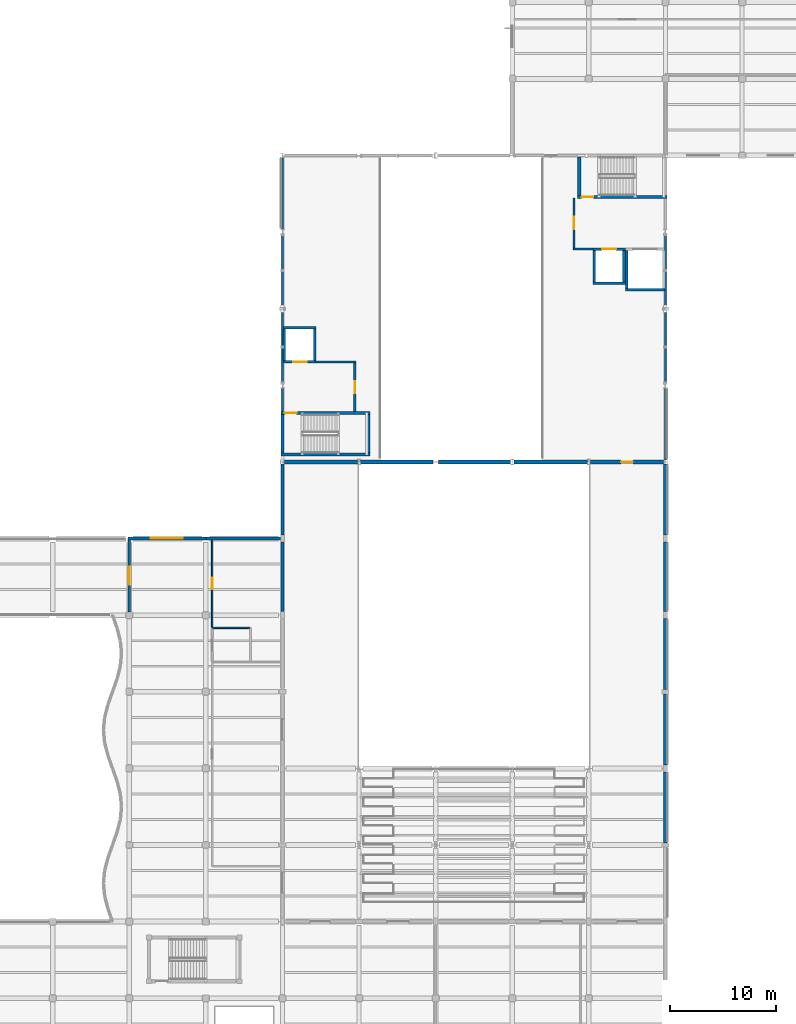
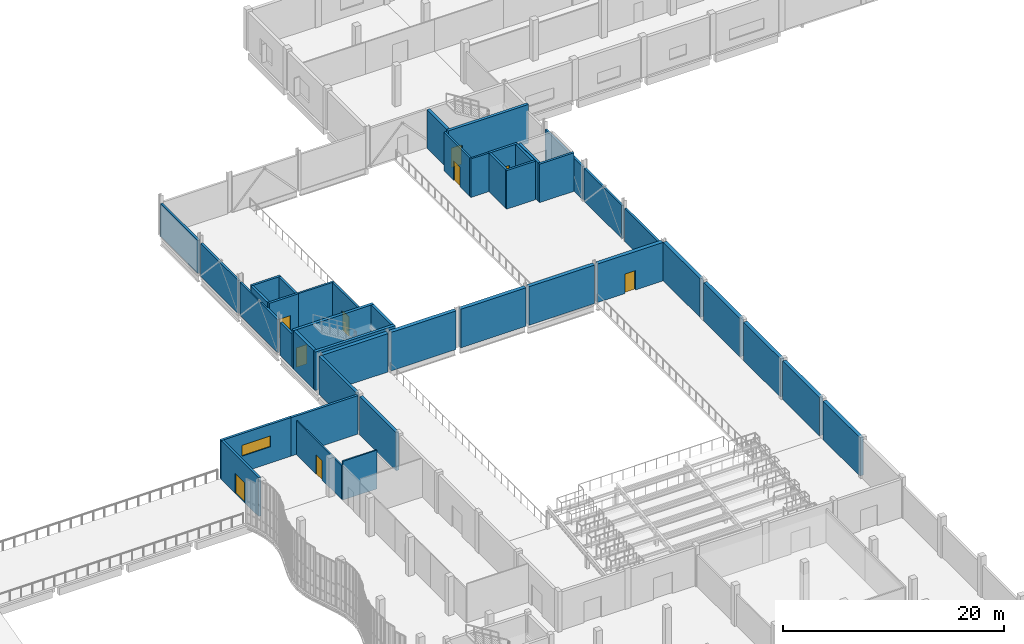
# One storey, part 91 of 105: 44 walls, 9 doors, 1 window, 10 openings.
"""IFC4 building model written with IfcOpenShell, lengths in metres."""

from ifc_helpers import new_model, si_unit, direction, frame, frame_2d, origin, place, context, subcontext, project, spatial, rectangle, extrude, material, layer, layer_set, type_object, element, fill, save


model = new_model("IFC4")

# Units and contexts
model_context = context("Model", 3, precision=1e-05, world=origin(), true_north=direction((0.0, 1.0)))
body_context = subcontext(model_context, "Body", "Model", "MODEL_VIEW")
ifc_project = project(units=[si_unit("LENGTHUNIT", "METRE"), si_unit("AREAUNIT", "SQUARE_METRE"), si_unit("VOLUMEUNIT", "CUBIC_METRE"), si_unit("PLANEANGLEUNIT", "RADIAN"), si_unit("MASSUNIT", "GRAM", prefix="KILO"), si_unit("THERMODYNAMICTEMPERATUREUNIT", "KELVIN"), si_unit("POWERUNIT", "WATT")], contexts=[model_context])

# Site, building, storey
site_placement = place(None, origin())
site = spatial("IfcSite", under=ifc_project, at=site_placement, CompositionType="ELEMENT")
building_placement = place(site_placement, origin())
building = spatial("IfcBuilding", under=site, at=building_placement, Name="Kaldorven Railside Theatre", CompositionType="ELEMENT")
storey_placement = place(building_placement, frame((0.0, 0.0, 9.89990234375)))
storey = spatial("IfcBuildingStorey", under=building, at=storey_placement, Name="L02", CompositionType="ELEMENT", Elevation=9.89990234375)

# Walls
ifc_material_1 = material(Name="Architectural concrete C40/50", Category="concrete")
ifc_layer_1 = layer(ifc_material_1, 0.3798828125, Name="Architectural concrete C40/50")
ifc_layer_set_1 = layer_set([ifc_layer_1], Name="Architectural concrete C40/50")
wall_type_1 = type_object("IfcWallType", Name="WL-EW02", PredefinedType="SHEAR", material=ifc_layer_set_1)
wall_1_placement = place(storey_placement, frame((123.199951171875, 83.813720703125, 0.0), z_axis=(0.0, 0.0, 1.0), x_axis=(0.0, -1.0, 0.0)))
element("IfcWall", 1, at=wall_1_placement, inside=storey, type_object=wall_type_1, Name="V1 L02 Exterior Wall EW-0251", PredefinedType="SHEAR", context=body_context, shape_type="SweptSolid", body=[
    extrude(rectangle(XDim=6.688720703125, YDim=0.3798828125, at=frame_2d((3.34423828125, 0.0))), origin(), (0.0, 0.0, 1.0), 4.260009765625),
])
wall_2_placement = place(storey_placement, frame((123.199951171875, 76.47509765625, 0.0), z_axis=(0.0, 0.0, 1.0), x_axis=(0.0, -1.0, 0.0)))
element("IfcWall", 2, at=wall_2_placement, inside=storey, type_object=wall_type_1, Name="V1 L02 Exterior Wall EW-0252", PredefinedType="SHEAR", context=body_context, shape_type="SweptSolid", body=[
    extrude(rectangle(XDim=6.550048828125, YDim=0.3798828125, at=frame_2d((3.27490234375, 0.0))), origin(), (0.0, 0.0, 1.0), 4.260009765625),
])
wall_3_placement = place(storey_placement, frame((123.199951171875, 69.27490234375, 0.0), z_axis=(0.0, 0.0, 1.0), x_axis=(0.0, -1.0, 0.0)))
element("IfcWall", 3, at=wall_3_placement, inside=storey, type_object=wall_type_1, Name="V1 L02 Exterior Wall EW-0253", PredefinedType="SHEAR", context=body_context, shape_type="SweptSolid", body=[
    extrude(rectangle(XDim=6.6748046875, YDim=0.3798828125, at=frame_2d((3.33740234375, 0.0))), origin(), (0.0, 0.0, 1.0), 4.25),
])
for number, where, z_axis, x_axis, name in (
    (4, (123.199951171875, 62.199951171875, 0.0), (0.0, 0.0, 1.0), (0.0, -1.0, 0.0), "V1 L02 Exterior Wall EW-0254"),
    (5, (123.199951171875, 54.875, 0.0), (0.0, 0.0, 1.0), (0.0, -1.0, 0.0), "V1 L02 Exterior Wall EW-0255"),
):
    element("IfcWall", number, at=place(storey_placement, frame(where, z_axis=z_axis, x_axis=x_axis)), inside=storey, type_object=wall_type_1, Name=name, PredefinedType="SHEAR", context=body_context, shape_type="SweptSolid", body=[
        extrude(rectangle(XDim=6.675048828125, YDim=0.3798828125, at=frame_2d((3.33740234375, 0.0))), origin(), (0.0, 0.0, 1.0), 4.25),
    ])

# Wall, opening, door
ifc_material_2 = material(Name="Precast concrete C40/50", Category="concrete")
ifc_layer_2 = layer(ifc_material_2, 0.25, Name="Precast concrete C40/50")
ifc_layer_set_2 = layer_set([ifc_layer_2], Name="Precast concrete C40/50")
wall_type_2 = type_object("IfcWallType", Name="WL-EW06", PredefinedType="SOLIDWALL", material=ifc_layer_set_2)
wall_4_placement = place(storey_placement, frame((72.800048828125, 69.89990234375, 0.0), z_axis=(0.0, 0.0, 1.0), x_axis=(0.0, 1.0, 0.0)))
wall_4 = element("IfcWall", 6, at=wall_4_placement, inside=storey, type_object=wall_type_2, Name="V5WN L02 Exterior Wall EW-0223", PredefinedType="SOLIDWALL", context=body_context, shape_type="SweptSolid", body=[
    extrude(rectangle(XDim=6.775146484375, YDim=0.25, at=frame_2d((3.3876953125, 0.0))), origin(), (0.0, 0.0, 1.0), 4.280029296875),
])
opening_1_placement = place(wall_4_placement, frame((2.53759765625, 0.0, 0.0)))
opening_1 = element("IfcOpeningElement", 7, at=opening_1_placement, cuts=wall_4, Name="Opening ED-013", PredefinedType="OPENING", context=body_context, shape_type="SweptSolid", body=[
    extrude(rectangle(XDim=1.699951171875, YDim=2.199951171875, at=frame_2d((0.85009765625, 1.10009765625))), frame((0.0, 0.135009765625, 0.0), z_axis=(0.0, -1.0, 0.0), x_axis=(1.0, 0.0, 0.0)), (0.0, 0.0, 1.0), 0.27001953125),
])
ifc_material_3 = material(Name="Anodised bronze aluminium", Category="aluminium")
door_type_1 = type_object("IfcDoorType", Name="DR-ED06", OperationType="NOTDEFINED", PredefinedType="DOOR", material=ifc_material_3)
door_1_placement = place(opening_1_placement, origin())
door_1 = element("IfcDoor", 8, at=door_1_placement, inside=storey, type_object=door_type_1, Name="Veranda Terrace Access Door ED-013", OperationType="DOUBLE_DOOR_SINGLE_SWING", OverallHeight=2.199951171875, OverallWidth=1.699951171875, PredefinedType="DOOR", context=body_context, shape_type="SweptSolid", body=[
    extrude(rectangle(XDim=1.699951171875, YDim=2.199951171875, at=frame_2d((0.85009765625, 1.10009765625))), frame((0.0, 0.02490234375, 0.0), z_axis=(0.0, -1.0, 0.0), x_axis=(1.0, 0.0, 0.0)), (0.0, 0.0, 1.0), 0.050048828125),
])
fill(opening_1, door_1)

# Wall, opening, window
wall_5_placement = place(storey_placement, frame((72.675048828125, 76.800048828125, 0.0), z_axis=(0.0, 0.0, 1.0), x_axis=(1.0, 0.0, 0.0)))
wall_5 = element("IfcWall", 9, at=wall_5_placement, inside=storey, type_object=wall_type_2, Name="V5WN L02 Exterior Wall EW-0224", PredefinedType="SOLIDWALL", context=body_context, shape_type="SweptSolid", body=[
    extrude(rectangle(XDim=7.324951171875, YDim=0.25, at=frame_2d((3.66259765625, 0.0))), origin(), (0.0, 0.0, 1.0), 4.280029296875),
])
opening_2_placement = place(wall_5_placement, frame((2.16259765625, 0.0, 1.800048828125)))
opening_2 = element("IfcOpeningElement", 10, at=opening_2_placement, cuts=wall_5, Name="Opening WN-041", PredefinedType="OPENING", context=body_context, shape_type="SweptSolid", body=[
    extrude(rectangle(XDim=3.0, YDim=1.199951171875, at=frame_2d((1.5, 0.60009765625))), frame((0.0, 0.135009765625, 0.0), z_axis=(0.0, -1.0, 0.0), x_axis=(1.0, 0.0, 0.0)), (0.0, 0.0, 1.0), 0.27001953125),
])
ifc_material_4 = material(Name="Low-E laminated solar-control glass", Category="glass")
window_type = type_object("IfcWindowType", Name="WN-EW16", PartitioningType="SINGLE_PANEL", PredefinedType="WINDOW", material=ifc_material_4)
window_placement = place(opening_2_placement, origin())
window = element("IfcWindow", 11, at=window_placement, inside=storey, type_object=window_type, Name="Shaded Acoustic Exterior Window WN-041", OverallHeight=1.199951171875, OverallWidth=3.0, PartitioningType="SINGLE_PANEL", PredefinedType="WINDOW", context=body_context, shape_type="SweptSolid", body=[
    extrude(rectangle(XDim=3.0, YDim=1.199951171875, at=frame_2d((1.5, 0.60009765625))), frame((0.0, 0.030029296875, 0.0), z_axis=(0.0, -1.0, 0.0), x_axis=(1.0, 0.0, 0.0)), (0.0, 0.0, 1.0), 0.06005859375),
])
fill(opening_2, window)

# Walls
wall_6_placement = place(storey_placement, frame((80.0, 76.800048828125, 0.0), z_axis=(0.0, 0.0, 1.0), x_axis=(1.0, 0.0, 0.0)))
element("IfcWall", 12, at=wall_6_placement, inside=storey, type_object=wall_type_2, Name="V5WN L02 Exterior Wall EW-0225", PredefinedType="SOLIDWALL", context=body_context, shape_type="SweptSolid", body=[
    extrude(rectangle(XDim=7.0, YDim=0.25, at=frame_2d((3.5, 0.0))), origin(), (0.0, 0.0, 1.0), 4.25),
])
ifc_layer_3 = layer(ifc_material_2, 0.219970703125, Name="Precast concrete C40/50")
ifc_layer_set_3 = layer_set([ifc_layer_3], Name="Precast concrete C40/50")
wall_type_3 = type_object("IfcWallType", Name="WL-EW07", PredefinedType="SOLIDWALL", material=ifc_layer_set_3)
wall_7_placement = place(storey_placement, frame((87.199951171875, 88.75, 0.0), z_axis=(0.0, 0.0, 1.0), x_axis=(0.0, 1.0, 0.0)))
element("IfcWall", 13, at=wall_7_placement, inside=storey, type_object=wall_type_3, Name="V2 L02 Exterior Wall EW-0293", PredefinedType="SOLIDWALL", context=body_context, shape_type="SweptSolid", body=[
    extrude(rectangle(XDim=2.199951171875, YDim=0.219970703125, at=frame_2d((1.10009765625, 0.0))), origin(), (0.0, 0.0, 1.0), 3.64501953125),
])
for number, where, z_axis, x_axis, name in (
    (14, (87.199951171875, 91.449951171875, 0.0), (0.0, 0.0, 1.0), (0.0, 1.0, 0.0), "V2 L02 Exterior Wall EW-0294"),
    (15, (87.199951171875, 98.550048828125, 0.0), (0.0, 0.0, 1.0), (0.0, 1.0, 0.0), "V2 L02 Exterior Wall EW-0295"),
):
    element("IfcWall", number, at=place(storey_placement, frame(where, z_axis=z_axis, x_axis=x_axis)), inside=storey, type_object=wall_type_3, Name=name, PredefinedType="SOLIDWALL", context=body_context, shape_type="SweptSolid", body=[
        extrude(rectangle(XDim=6.800048828125, YDim=0.219970703125, at=frame_2d((3.39990234375, 0.0))), origin(), (0.0, 0.0, 1.0), 3.655029296875),
    ])
wall_8_placement = place(storey_placement, frame((87.199951171875, 105.85009765625, 0.0), z_axis=(0.0, 0.0, 1.0), x_axis=(0.0, 1.0, 0.0)))
element("IfcWall", 16, at=wall_8_placement, inside=storey, type_object=wall_type_3, Name="V2 L02 Exterior Wall EW-0296", PredefinedType="SOLIDWALL", context=body_context, shape_type="SweptSolid", body=[
    extrude(rectangle(XDim=6.765869140625, YDim=0.219970703125, at=frame_2d((3.3828125, 0.0))), origin(), (0.0, 0.0, 1.0), 3.655029296875),
])
for number, where, z_axis, x_axis, name in (
    (17, (123.199951171875, 105.35009765625, 0.0), (0.0, 0.0, 1.0), (0.0, -1.0, 0.0), "V2 L02 Exterior Wall EW-0302"),
    (18, (123.199951171875, 98.25, 0.0), (0.0, 0.0, 1.0), (0.0, -1.0, 0.0), "V2 L02 Exterior Wall EW-0303"),
):
    element("IfcWall", number, at=place(storey_placement, frame(where, z_axis=z_axis, x_axis=x_axis)), inside=storey, type_object=wall_type_3, Name=name, PredefinedType="SOLIDWALL", context=body_context, shape_type="SweptSolid", body=[
        extrude(rectangle(XDim=6.800048828125, YDim=0.219970703125, at=frame_2d((3.39990234375, 0.0))), origin(), (0.0, 0.0, 1.0), 3.655029296875),
    ])
wall_9_placement = place(storey_placement, frame((123.199951171875, 90.949951171875, 0.0), z_axis=(0.0, 0.0, 1.0), x_axis=(0.0, -1.0, 0.0)))
element("IfcWall", 19, at=wall_9_placement, inside=storey, type_object=wall_type_3, Name="V2 L02 Exterior Wall EW-0304", PredefinedType="SOLIDWALL", context=body_context, shape_type="SweptSolid", body=[
    extrude(rectangle(XDim=6.763671875, YDim=0.219970703125, at=frame_2d((3.3818359375, 0.0))), origin(), (0.0, 0.0, 1.0), 3.655029296875),
])
ifc_material_5 = material(Name="Acoustic gypsum board")
ifc_layer_4 = layer(ifc_material_5, 0.14990234375, Name="Acoustic gypsum board")
ifc_layer_set_4 = layer_set([ifc_layer_4], Name="Acoustic gypsum board")
wall_type_4 = type_object("IfcWallType", Name="WL-IW-AC1", PredefinedType="PARTITIONING", material=ifc_layer_set_4)
wall_10_placement = place(storey_placement, frame((84.123046875, 68.39990234375, 0.0), z_axis=(0.0, 0.0, 1.0), x_axis=(-1.0, 0.0, 0.0)))
element("IfcWall", 20, at=wall_10_placement, inside=storey, type_object=wall_type_4, Name="L02 Interior Wall IW-0599", PredefinedType="PARTITIONING", context=body_context, shape_type="SweptSolid", body=[
    extrude(rectangle(XDim=3.52294921875, YDim=0.14990234375, at=frame_2d((1.761474609375, 0.0))), origin(), (0.0, 0.0, 1.0), 4.280029296875),
])

# Wall, opening, door
ifc_layer_5 = layer(ifc_material_5, 0.139892578125, Name="Acoustic gypsum board")
ifc_layer_set_5 = layer_set([ifc_layer_5], Name="Acoustic gypsum board")
wall_type_5 = type_object("IfcWallType", Name="WL-IW-AC2", PredefinedType="PARTITIONING", material=ifc_layer_set_5)
wall_11_placement = place(storey_placement, frame((80.60009765625, 68.47705078125, 0.0), z_axis=(0.0, 0.0, 1.0), x_axis=(0.0, 1.0, 0.0)))
wall_11 = element("IfcWall", 21, at=wall_11_placement, inside=storey, type_object=wall_type_5, Name="L02 Interior Wall IW-0601", PredefinedType="PARTITIONING", context=body_context, shape_type="SweptSolid", body=[
    extrude(rectangle(XDim=8.196044921875, YDim=0.139892578125, at=frame_2d((4.09814453125, 0.0))), origin(), (0.0, 0.0, 1.0), 3.7451171875),
])
opening_3_placement = place(wall_11_placement, frame((3.548095703125, 0.0, 0.0)))
opening_3 = element("IfcOpeningElement", 22, at=opening_3_placement, cuts=wall_11, Name="Opening ID-0138", PredefinedType="OPENING", context=body_context, shape_type="SweptSolid", body=[
    extrude(rectangle(XDim=1.10009765625, YDim=2.14990234375, at=frame_2d((0.550048828125, 1.074951171875))), frame((0.0, 0.080078125, 0.0), z_axis=(0.0, -1.0, 0.0), x_axis=(1.0, 0.0, 0.0)), (0.0, 0.0, 1.0), 0.159912109375),
])
ifc_material_6 = material(Name="Acoustic hardwood timber", Category="wood")
door_type_2 = type_object("IfcDoorType", Name="DR-ID-FD60", OperationType="NOTDEFINED", PredefinedType="DOOR", material=ifc_material_6)
door_2_placement = place(opening_3_placement, origin())
door_2 = element("IfcDoor", 23, at=door_2_placement, inside=storey, type_object=door_type_2, Name="Upper Circle Cleaner's Store Entry Door", OperationType="SINGLE_SWING_LEFT", OverallHeight=2.14990234375, OverallWidth=1.10009765625, PredefinedType="DOOR", context=body_context, shape_type="SweptSolid", body=[
    extrude(rectangle(XDim=1.10009765625, YDim=2.14990234375, at=frame_2d((0.550048828125, 1.074951171875))), frame((0.0, 0.02490234375, 0.0), z_axis=(0.0, -1.0, 0.0), x_axis=(1.0, 0.0, 0.0)), (0.0, 0.0, 1.0), 0.050048828125),
])
fill(opening_3, door_2)

# Walls
ifc_material_7 = material(Name="Concrete C40/50", Category="concrete")
ifc_layer_6 = layer(ifc_material_7, 0.300048828125, Name="Concrete C40/50")
ifc_layer_set_6 = layer_set([ifc_layer_6], Name="Concrete C40/50")
wall_type_6 = type_object("IfcWallType", Name="WL-IW-CORE", PredefinedType="SHEAR", material=ifc_layer_set_6)
wall_12_placement = place(storey_placement, frame((95.449951171875, 84.699951171875, 0.0), z_axis=(0.0, 0.0, 1.0), x_axis=(-1.0, 0.0, 0.0)))
element("IfcWall", 24, at=wall_12_placement, inside=storey, type_object=wall_type_6, Name="L02 Core Wall CW-0141", PredefinedType="SHEAR", context=body_context, shape_type="SweptSolid", body=[
    extrude(rectangle(XDim=8.39990234375, YDim=0.300048828125, at=frame_2d((4.199951171875, 0.0))), origin(), (0.0, 0.0, 1.0), 4.260009765625),
])
wall_13_placement = place(storey_placement, frame((87.199951171875, 84.85205078125, 0.0), z_axis=(0.0, 0.0, 1.0), x_axis=(0.0, 1.0, 0.0)))
element("IfcWall", 25, at=wall_13_placement, inside=storey, type_object=wall_type_6, Name="L02 Core Wall CW-0142", PredefinedType="SHEAR", context=body_context, shape_type="SweptSolid", body=[
    extrude(rectangle(XDim=3.597900390625, YDim=0.300048828125, at=frame_2d((1.798828125, 0.0))), origin(), (0.0, 0.0, 1.0), 4.260009765625),
])

# Wall, opening, door
wall_14_placement = place(storey_placement, frame((87.050048828125, 88.60009765625, 0.0), z_axis=(0.0, 0.0, 1.0), x_axis=(1.0, 0.0, 0.0)))
wall_14 = element("IfcWall", 26, at=wall_14_placement, inside=storey, type_object=wall_type_6, Name="L02 Core Wall CW-0143", PredefinedType="SHEAR", context=body_context, shape_type="SweptSolid", body=[
    extrude(rectangle(XDim=8.39990234375, YDim=0.300048828125, at=frame_2d((4.199951171875, 0.0))), origin(), (0.0, 0.0, 1.0), 4.260009765625),
])
opening_4_placement = place(wall_14_placement, frame((0.3701171875, 0.0, 0.0)))
opening_4 = element("IfcOpeningElement", 27, at=opening_4_placement, cuts=wall_14, Name="Opening ID-0021", PredefinedType="OPENING", context=body_context, shape_type="SweptSolid", body=[
    extrude(rectangle(XDim=1.10009765625, YDim=2.14990234375, at=frame_2d((0.550048828125, 1.074951171875))), frame((0.0, 0.16015625, 0.0), z_axis=(0.0, -1.0, 0.0), x_axis=(1.0, 0.0, 0.0)), (0.0, 0.0, 1.0), 0.320068359375),
])
door_3_placement = place(opening_4_placement, origin())
door_3 = element("IfcDoor", 28, at=door_3_placement, inside=storey, type_object=door_type_2, Name="Stair ST-05 Fire Door", OperationType="SINGLE_SWING_LEFT", OverallHeight=2.14990234375, OverallWidth=1.10009765625, PredefinedType="DOOR", context=body_context, shape_type="SweptSolid", body=[
    extrude(rectangle(XDim=1.10009765625, YDim=2.14990234375, at=frame_2d((0.550048828125, 1.074951171875))), frame((0.0, 0.02490234375, 0.0), z_axis=(0.0, -1.0, 0.0), x_axis=(1.0, 0.0, 0.0)), (0.0, 0.0, 1.0), 0.050048828125),
])
fill(opening_4, door_3)

# Wall
wall_15_placement = place(storey_placement, frame((95.300048828125, 88.447998046875, 0.0), z_axis=(0.0, 0.0, 1.0), x_axis=(0.0, -1.0, 0.0)))
element("IfcWall", 29, at=wall_15_placement, inside=storey, type_object=wall_type_6, Name="L02 Core Wall CW-0144", PredefinedType="SHEAR", context=body_context, shape_type="SweptSolid", body=[
    extrude(rectangle(XDim=3.595947265625, YDim=0.300048828125, at=frame_2d((1.7978515625, 0.0))), origin(), (0.0, 0.0, 1.0), 4.260009765625),
])

# Wall, opening, door
wall_16_placement = place(storey_placement, frame((123.35009765625, 108.89990234375, 0.0), z_axis=(0.0, 0.0, 1.0), x_axis=(-1.0, 0.0, 0.0)))
wall_16 = element("IfcWall", 30, at=wall_16_placement, inside=storey, type_object=wall_type_6, Name="L02 Core Wall CW-0209", PredefinedType="SHEAR", context=body_context, shape_type="SweptSolid", body=[
    extrude(rectangle(XDim=8.400146484375, YDim=0.300048828125, at=frame_2d((4.2001953125, 0.0))), origin(), (0.0, 0.0, 1.0), 4.260009765625),
])
opening_5_placement = place(wall_16_placement, frame((6.929931640625, 0.0, 0.0)))
opening_5 = element("IfcOpeningElement", 31, at=opening_5_placement, cuts=wall_16, Name="Opening ID-0035", PredefinedType="OPENING", context=body_context, shape_type="SweptSolid", body=[
    extrude(rectangle(XDim=1.10009765625, YDim=2.14990234375, at=frame_2d((0.550048828125, 1.074951171875))), frame((0.0, 0.16015625, 0.0), z_axis=(0.0, -1.0, 0.0), x_axis=(1.0, 0.0, 0.0)), (0.0, 0.0, 1.0), 0.320068359375),
])
door_4_placement = place(opening_5_placement, origin())
door_4 = element("IfcDoor", 32, at=door_4_placement, inside=storey, type_object=door_type_2, Name="Stair ST-06 Fire Door", OperationType="SINGLE_SWING_LEFT", OverallHeight=2.14990234375, OverallWidth=1.10009765625, PredefinedType="DOOR", context=body_context, shape_type="SweptSolid", body=[
    extrude(rectangle(XDim=1.10009765625, YDim=2.14990234375, at=frame_2d((0.550048828125, 1.074951171875))), frame((0.0, 0.02490234375, 0.0), z_axis=(0.0, -1.0, 0.0), x_axis=(1.0, 0.0, 0.0)), (0.0, 0.0, 1.0), 0.050048828125),
])
fill(opening_5, door_4)

# Walls
wall_17_placement = place(storey_placement, frame((115.10009765625, 109.052001953125, 0.0), z_axis=(0.0, 0.0, 1.0), x_axis=(0.0, 1.0, 0.0)))
element("IfcWall", 33, at=wall_17_placement, inside=storey, type_object=wall_type_6, Name="L02 Core Wall CW-0210", PredefinedType="SHEAR", context=body_context, shape_type="SweptSolid", body=[
    extrude(rectangle(XDim=3.597900390625, YDim=0.300048828125, at=frame_2d((1.798828125, 0.0))), origin(), (0.0, 0.0, 1.0), 4.260009765625),
])
wall_18_placement = place(storey_placement, frame((87.199951171875, 69.925048828125, 0.0), z_axis=(0.0, 0.0, 1.0), x_axis=(0.0, 1.0, 0.0)))
element("IfcWall", 34, at=wall_18_placement, inside=storey, type_object=wall_type_6, Name="L02 Interior Wall AW-0376", PredefinedType="SHEAR", context=body_context, shape_type="SweptSolid", body=[
    extrude(rectangle(XDim=6.550048828125, YDim=0.300048828125, at=frame_2d((3.27490234375, 0.0))), origin(), (0.0, 0.0, 1.0), 4.25),
])
wall_19_placement = place(storey_placement, frame((87.199951171875, 77.125, 0.0), z_axis=(0.0, 0.0, 1.0), x_axis=(0.0, 1.0, 0.0)))
element("IfcWall", 35, at=wall_19_placement, inside=storey, type_object=wall_type_6, Name="L02 Interior Wall AW-0377", PredefinedType="SHEAR", context=body_context, shape_type="SweptSolid", body=[
    extrude(rectangle(XDim=6.688720703125, YDim=0.300048828125, at=frame_2d((3.34423828125, 0.0))), origin(), (0.0, 0.0, 1.0), 4.25),
])
ifc_material_8 = material(Name="Concrete C35/45", Category="concrete")
ifc_layer_7 = layer(ifc_material_8, 0.199951171875, Name="Concrete C35/45")
ifc_layer_set_7 = layer_set([ifc_layer_7], Name="Concrete C35/45")
wall_type_7 = type_object("IfcWallType", Name="WL-IW-FF", PredefinedType="PARTITIONING", material=ifc_layer_set_7)
wall_20_placement = place(storey_placement, frame((90.3701171875, 93.39990234375, 0.0), z_axis=(0.0, 0.0, 1.0), x_axis=(1.0, 0.0, 0.0)))
element("IfcWall", 36, at=wall_20_placement, inside=storey, type_object=wall_type_7, Name="L02 Interior Wall FFW-0189", PredefinedType="PARTITIONING", context=body_context, shape_type="SweptSolid", body=[
    extrude(rectangle(XDim=3.72998046875, YDim=0.199951171875, at=frame_2d((1.864990234375, 0.0))), origin(), (0.0, 0.0, 1.0), 4.260009765625),
])

# Wall, opening, door
wall_21_placement = place(storey_placement, frame((94.0, 93.298095703125, 0.0), z_axis=(0.0, 0.0, 1.0), x_axis=(0.0, -1.0, 0.0)))
wall_21 = element("IfcWall", 37, at=wall_21_placement, inside=storey, type_object=wall_type_7, Name="L02 Interior Wall FFW-0190", PredefinedType="PARTITIONING", context=body_context, shape_type="SweptSolid", body=[
    extrude(rectangle(XDim=4.546142578125, YDim=0.199951171875, at=frame_2d((2.27294921875, 0.0))), origin(), (0.0, 0.0, 1.0), 4.260009765625),
])
opening_6_placement = place(wall_21_placement, frame((1.697998046875, 0.0, 0.0)))
opening_6 = element("IfcOpeningElement", 38, at=opening_6_placement, cuts=wall_21, Name="Opening ID-0028", PredefinedType="OPENING", context=body_context, shape_type="SweptSolid", body=[
    extrude(rectangle(XDim=1.14990234375, YDim=2.14990234375, at=frame_2d((0.574951171875, 1.074951171875))), frame((0.0, 0.10986328125, 0.0), z_axis=(0.0, -1.0, 0.0), x_axis=(1.0, 0.0, 0.0)), (0.0, 0.0, 1.0), 0.219970703125),
])
ifc_material_9 = material(Name="Powder-coated hollow-metal steel", Category="steel")
door_type_3 = type_object("IfcDoorType", Name="DR-ID-FD120", OperationType="NOTDEFINED", PredefinedType="DOOR", material=ifc_material_9)
door_5_placement = place(opening_6_placement, origin())
door_5 = element("IfcDoor", 39, at=door_5_placement, inside=storey, type_object=door_type_3, Name="Firefighting Lobby C-STW Door", OperationType="SINGLE_SWING_RIGHT", OverallHeight=2.14990234375, OverallWidth=1.14990234375, PredefinedType="DOOR", context=body_context, shape_type="SweptSolid", body=[
    extrude(rectangle(XDim=1.14990234375, YDim=2.14990234375, at=frame_2d((0.574951171875, 1.074951171875))), frame((0.0, 0.02490234375, 0.0), z_axis=(0.0, -1.0, 0.0), x_axis=(1.0, 0.0, 0.0)), (0.0, 0.0, 1.0), 0.050048828125),
])
fill(opening_6, door_5)

# Wall
wall_22_placement = place(storey_placement, frame((116.3798828125, 104.0, 0.0), z_axis=(0.0, 0.0, 1.0), x_axis=(-1.0, 0.0, 0.0)))
element("IfcWall", 40, at=wall_22_placement, inside=storey, type_object=wall_type_7, Name="L02 Interior Wall FFW-0281", PredefinedType="PARTITIONING", context=body_context, shape_type="SweptSolid", body=[
    extrude(rectangle(XDim=1.8798828125, YDim=0.199951171875, at=frame_2d((0.93994140625, 0.0))), origin(), (0.0, 0.0, 1.0), 4.260009765625),
])

# Wall, opening, door
wall_23_placement = place(storey_placement, frame((114.60009765625, 104.10205078125, 0.0), z_axis=(0.0, 0.0, 1.0), x_axis=(0.0, 1.0, 0.0)))
wall_23 = element("IfcWall", 41, at=wall_23_placement, inside=storey, type_object=wall_type_7, Name="L02 Interior Wall FFW-0282", PredefinedType="PARTITIONING", context=body_context, shape_type="SweptSolid", body=[
    extrude(rectangle(XDim=4.697998046875, YDim=0.199951171875, at=frame_2d((2.34912109375, 0.0))), origin(), (0.0, 0.0, 1.0), 4.260009765625),
])
opening_7_placement = place(wall_23_placement, frame((1.77392578125, 0.0, 0.0)))
opening_7 = element("IfcOpeningElement", 42, at=opening_7_placement, cuts=wall_23, Name="Opening ID-0042", PredefinedType="OPENING", context=body_context, shape_type="SweptSolid", body=[
    extrude(rectangle(XDim=1.14990234375, YDim=2.14990234375, at=frame_2d((0.574951171875, 1.074951171875))), frame((0.0, 0.10986328125, 0.0), z_axis=(0.0, -1.0, 0.0), x_axis=(1.0, 0.0, 0.0)), (0.0, 0.0, 1.0), 0.219970703125),
])
door_6_placement = place(opening_7_placement, origin())
door_6 = element("IfcDoor", 43, at=door_6_placement, inside=storey, type_object=door_type_3, Name="Firefighting Lobby C-STE Door", OperationType="SINGLE_SWING_RIGHT", OverallHeight=2.14990234375, OverallWidth=1.14990234375, PredefinedType="DOOR", context=body_context, shape_type="SweptSolid", body=[
    extrude(rectangle(XDim=1.14990234375, YDim=2.14990234375, at=frame_2d((0.574951171875, 1.074951171875))), frame((0.0, 0.02490234375, 0.0), z_axis=(0.0, -1.0, 0.0), x_axis=(1.0, 0.0, 0.0)), (0.0, 0.0, 1.0), 0.050048828125),
])
fill(opening_7, door_6)

# Walls
ifc_layer_8 = layer(ifc_material_7, 0.39990234375, Name="Concrete C40/50")
ifc_layer_set_8 = layer_set([ifc_layer_8], Name="Concrete C40/50")
wall_type_8 = type_object("IfcWallType", Name="WL-IW-PROSC", PredefinedType="SHEAR", material=ifc_layer_set_8)
wall_24_placement = place(storey_placement, frame((87.384033203125, 84.0, 0.0), z_axis=(0.0, 0.0, 1.0), x_axis=(1.0, 0.0, 0.0)))
element("IfcWall", 44, at=wall_24_placement, inside=storey, type_object=wall_type_8, Name="L02 Interior Wall PW-0362", PredefinedType="SHEAR", context=body_context, shape_type="SweptSolid", body=[
    extrude(rectangle(XDim=6.865966796875, YDim=0.39990234375, at=frame_2d((3.43310546875, 0.0))), origin(), (0.0, 0.0, 1.0), 4.25),
])
wall_25_placement = place(storey_placement, frame((94.550048828125, 84.0, 0.0), z_axis=(0.0, 0.0, 1.0), x_axis=(1.0, 0.0, 0.0)))
element("IfcWall", 45, at=wall_25_placement, inside=storey, type_object=wall_type_8, Name="L02 Interior Wall PW-0363", PredefinedType="SHEAR", context=body_context, shape_type="SweptSolid", body=[
    extrude(rectangle(XDim=6.800048828125, YDim=0.39990234375, at=frame_2d((3.39990234375, 0.0))), origin(), (0.0, 0.0, 1.0), 4.260009765625),
])
wall_26_placement = place(storey_placement, frame((101.85009765625, 84.0, 0.0), z_axis=(0.0, 0.0, 1.0), x_axis=(1.0, 0.0, 0.0)))
element("IfcWall", 46, at=wall_26_placement, inside=storey, type_object=wall_type_8, Name="L02 Interior Wall PW-0364", PredefinedType="SHEAR", context=body_context, shape_type="SweptSolid", body=[
    extrude(rectangle(XDim=6.7998046875, YDim=0.39990234375, at=frame_2d((3.39990234375, 0.0))), origin(), (0.0, 0.0, 1.0), 4.260009765625),
])
wall_27_placement = place(storey_placement, frame((108.949951171875, 84.0, 0.0), z_axis=(0.0, 0.0, 1.0), x_axis=(1.0, 0.0, 0.0)))
element("IfcWall", 47, at=wall_27_placement, inside=storey, type_object=wall_type_8, Name="L02 Interior Wall PW-0365", PredefinedType="SHEAR", context=body_context, shape_type="SweptSolid", body=[
    extrude(rectangle(XDim=6.900146484375, YDim=0.39990234375, at=frame_2d((3.4501953125, 0.0))), origin(), (0.0, 0.0, 1.0), 4.260009765625),
])

# Wall, opening, door
wall_28_placement = place(storey_placement, frame((116.14990234375, 84.0, 0.0), z_axis=(0.0, 0.0, 1.0), x_axis=(1.0, 0.0, 0.0)))
wall_28 = element("IfcWall", 48, at=wall_28_placement, inside=storey, type_object=wall_type_8, Name="L02 Interior Wall PW-0366", PredefinedType="SHEAR", context=body_context, shape_type="SweptSolid", body=[
    extrude(rectangle(XDim=6.865966796875, YDim=0.39990234375, at=frame_2d((3.43310546875, 0.0))), origin(), (0.0, 0.0, 1.0), 4.260009765625),
])
opening_8_placement = place(wall_28_placement, frame((2.8828125, 0.0, 0.0)))
opening_8 = element("IfcOpeningElement", 49, at=opening_8_placement, cuts=wall_28, Name="Opening ID-0071", PredefinedType="OPENING", context=body_context, shape_type="SweptSolid", body=[
    extrude(rectangle(XDim=1.10009765625, YDim=2.14990234375, at=frame_2d((0.550048828125, 1.074951171875))), frame((0.0, 0.2099609375, 0.0), z_axis=(0.0, -1.0, 0.0), x_axis=(1.0, 0.0, 0.0)), (0.0, 0.0, 1.0), 0.419921875),
])
door_7_placement = place(opening_8_placement, origin())
door_7 = element("IfcDoor", 50, at=door_7_placement, inside=storey, type_object=door_type_2, Name="L02 Gallery-to-Fly-Tower Fire Door", OperationType="SINGLE_SWING_LEFT", OverallHeight=2.14990234375, OverallWidth=1.10009765625, PredefinedType="DOOR", context=body_context, shape_type="SweptSolid", body=[
    extrude(rectangle(XDim=1.10009765625, YDim=2.14990234375, at=frame_2d((0.550048828125, 1.074951171875))), frame((0.0, 0.02490234375, 0.0), z_axis=(0.0, -1.0, 0.0), x_axis=(1.0, 0.0, 0.0)), (0.0, 0.0, 1.0), 0.050048828125),
])
fill(opening_8, door_7)

ifc_layer_9 = layer(ifc_material_7, 0.239990234375, Name="Concrete C40/50")
ifc_layer_set_9 = layer_set([ifc_layer_9], Name="Concrete C40/50")
wall_type_9 = type_object("IfcWallType", Name="WL-IW-SHAFT", PredefinedType="SHEAR", material=ifc_layer_set_9)
wall_29_placement = place(storey_placement, frame((90.3701171875, 93.39990234375, 0.0), z_axis=(0.0, 0.0, 1.0), x_axis=(-1.0, 0.0, 0.0)))
wall_29 = element("IfcWall", 51, at=wall_29_placement, inside=storey, type_object=wall_type_9, Name="L02 Interior Wall SW-0167", PredefinedType="SHEAR", context=body_context, shape_type="SweptSolid", body=[
    extrude(rectangle(XDim=3.05810546875, YDim=0.239990234375, at=frame_2d((1.529052734375, 0.0))), origin(), (0.0, 0.0, 1.0), 4.260009765625),
])
opening_9_placement = place(wall_29_placement, frame((0.87890625, 0.0, 0.0)))
opening_9 = element("IfcOpeningElement", 52, at=opening_9_placement, cuts=wall_29, Name="Opening LD-019", PredefinedType="OPENING", context=body_context, shape_type="SweptSolid", body=[
    extrude(rectangle(XDim=1.300048828125, YDim=2.14990234375, at=frame_2d((0.64990234375, 1.074951171875))), frame((0.0, 0.1298828125, 0.0), z_axis=(0.0, -1.0, 0.0), x_axis=(1.0, 0.0, 0.0)), (0.0, 0.0, 1.0), 0.260009765625),
])
door_type_4 = type_object("IfcDoorType", Name="DR-LD-FF", OperationType="NOTDEFINED", PredefinedType="DOOR", material=ifc_material_9)
door_8_placement = place(opening_9_placement, origin())
door_8 = element("IfcDoor", 53, at=door_8_placement, inside=storey, type_object=door_type_4, Name="Lift LF-FF1 Sliding Landing Door", OperationType="DOUBLE_DOOR_SLIDING", OverallHeight=2.14990234375, OverallWidth=1.300048828125, PredefinedType="DOOR", context=body_context, shape_type="SweptSolid", body=[
    extrude(rectangle(XDim=1.300048828125, YDim=2.14990234375, at=frame_2d((0.64990234375, 1.074951171875))), frame((0.0, 0.02490234375, 0.0), z_axis=(0.0, -1.0, 0.0), x_axis=(1.0, 0.0, 0.0)), (0.0, 0.0, 1.0), 0.050048828125),
])
fill(opening_9, door_8)

# Walls
wall_30_placement = place(storey_placement, frame((87.35009765625, 93.52197265625, 0.0), z_axis=(0.0, 0.0, 1.0), x_axis=(0.0, 1.0, 0.0)))
element("IfcWall", 54, at=wall_30_placement, inside=storey, type_object=wall_type_9, Name="L02 Interior Wall SW-0168", PredefinedType="SHEAR", context=body_context, shape_type="SweptSolid", body=[
    extrude(rectangle(XDim=2.9580078125, YDim=0.239990234375, at=frame_2d((1.47900390625, 0.0))), origin(), (0.0, 0.0, 1.0), 4.260009765625),
])
wall_31_placement = place(storey_placement, frame((87.31201171875, 96.60009765625, 0.0), z_axis=(0.0, 0.0, 1.0), x_axis=(1.0, 0.0, 0.0)))
element("IfcWall", 55, at=wall_31_placement, inside=storey, type_object=wall_type_9, Name="L02 Interior Wall SW-0169", PredefinedType="SHEAR", context=body_context, shape_type="SweptSolid", body=[
    extrude(rectangle(XDim=3.05810546875, YDim=0.239990234375, at=frame_2d((1.529052734375, 0.0))), origin(), (0.0, 0.0, 1.0), 4.260009765625),
])
wall_32_placement = place(storey_placement, frame((90.25, 96.47802734375, 0.0), z_axis=(0.0, 0.0, 1.0), x_axis=(0.0, -1.0, 0.0)))
element("IfcWall", 56, at=wall_32_placement, inside=storey, type_object=wall_type_9, Name="L02 Interior Wall SW-0170", PredefinedType="SHEAR", context=body_context, shape_type="SweptSolid", body=[
    extrude(rectangle(XDim=2.9560546875, YDim=0.239990234375, at=frame_2d((1.47802734375, 0.0))), origin(), (0.0, 0.0, 1.0), 4.260009765625),
])
wall_33_placement = place(storey_placement, frame((119.419921875, 100.800048828125, 0.0), z_axis=(0.0, 0.0, 1.0), x_axis=(-1.0, 0.0, 0.0)))
element("IfcWall", 57, at=wall_33_placement, inside=storey, type_object=wall_type_9, Name="L02 Interior Wall SW-0237", PredefinedType="SHEAR", context=body_context, shape_type="SweptSolid", body=[
    extrude(rectangle(XDim=3.0400390625, YDim=0.239990234375, at=frame_2d((1.52001953125, 0.0))), origin(), (0.0, 0.0, 1.0), 4.260009765625),
])
wall_34_placement = place(storey_placement, frame((116.5, 100.922119140625, 0.0), z_axis=(0.0, 0.0, 1.0), x_axis=(0.0, 1.0, 0.0)))
element("IfcWall", 58, at=wall_34_placement, inside=storey, type_object=wall_type_9, Name="L02 Interior Wall SW-0238", PredefinedType="SHEAR", context=body_context, shape_type="SweptSolid", body=[
    extrude(rectangle(XDim=2.957763671875, YDim=0.239990234375, at=frame_2d((1.47900390625, 0.0))), origin(), (0.0, 0.0, 1.0), 4.260009765625),
])

# Wall, opening, door
wall_35_placement = place(storey_placement, frame((116.3798828125, 104.0, 0.0), z_axis=(0.0, 0.0, 1.0), x_axis=(1.0, 0.0, 0.0)))
wall_35 = element("IfcWall", 59, at=wall_35_placement, inside=storey, type_object=wall_type_9, Name="L02 Interior Wall SW-0239", PredefinedType="SHEAR", context=body_context, shape_type="SweptSolid", body=[
    extrude(rectangle(XDim=3.0400390625, YDim=0.239990234375, at=frame_2d((1.52001953125, 0.0))), origin(), (0.0, 0.0, 1.0), 4.260009765625),
])
opening_10_placement = place(wall_35_placement, frame((0.8701171875, 0.0, 0.0)))
opening_10 = element("IfcOpeningElement", 60, at=opening_10_placement, cuts=wall_35, Name="Opening LD-026", PredefinedType="OPENING", context=body_context, shape_type="SweptSolid", body=[
    extrude(rectangle(XDim=1.300048828125, YDim=2.14990234375, at=frame_2d((0.64990234375, 1.074951171875))), frame((0.0, 0.1298828125, 0.0), z_axis=(0.0, -1.0, 0.0), x_axis=(1.0, 0.0, 0.0)), (0.0, 0.0, 1.0), 0.260009765625),
])
door_9_placement = place(opening_10_placement, origin())
door_9 = element("IfcDoor", 61, at=door_9_placement, inside=storey, type_object=door_type_4, Name="Lift LF-FF2 Sliding Landing Door", OperationType="DOUBLE_DOOR_SLIDING", OverallHeight=2.14990234375, OverallWidth=1.300048828125, PredefinedType="DOOR", context=body_context, shape_type="SweptSolid", body=[
    extrude(rectangle(XDim=1.300048828125, YDim=2.14990234375, at=frame_2d((0.64990234375, 1.074951171875))), frame((0.0, 0.02490234375, 0.0), z_axis=(0.0, -1.0, 0.0), x_axis=(1.0, 0.0, 0.0)), (0.0, 0.0, 1.0), 0.050048828125),
])
fill(opening_10, door_9)

# Walls
wall_36_placement = place(storey_placement, frame((119.300048828125, 103.8779296875, 0.0), z_axis=(0.0, 0.0, 1.0), x_axis=(0.0, -1.0, 0.0)))
element("IfcWall", 62, at=wall_36_placement, inside=storey, type_object=wall_type_9, Name="L02 Interior Wall SW-0240", PredefinedType="SHEAR", context=body_context, shape_type="SweptSolid", body=[
    extrude(rectangle(XDim=2.955810546875, YDim=0.239990234375, at=frame_2d((1.47802734375, 0.0))), origin(), (0.0, 0.0, 1.0), 4.260009765625),
])
wall_37_placement = place(storey_placement, frame((123.087890625, 100.199951171875, 0.0), z_axis=(0.0, 0.0, 1.0), x_axis=(-1.0, 0.0, 0.0)))
element("IfcWall", 63, at=wall_37_placement, inside=storey, type_object=wall_type_9, Name="L02 Interior Wall SW-0263", PredefinedType="SHEAR", context=body_context, shape_type="SweptSolid", body=[
    extrude(rectangle(XDim=3.6279296875, YDim=0.239990234375, at=frame_2d((1.81396484375, 0.0))), origin(), (0.0, 0.0, 1.0), 4.260009765625),
])
wall_38_placement = place(storey_placement, frame((119.580078125, 100.322021484375, 0.0), z_axis=(0.0, 0.0, 1.0), x_axis=(0.0, 1.0, 0.0)))
element("IfcWall", 64, at=wall_38_placement, inside=storey, type_object=wall_type_9, Name="L02 Interior Wall SW-0264", PredefinedType="SHEAR", context=body_context, shape_type="SweptSolid", body=[
    extrude(rectangle(XDim=3.557861328125, YDim=0.239990234375, at=frame_2d((1.77880859375, 0.0))), origin(), (0.0, 0.0, 1.0), 4.260009765625),
])

save(model, "model.ifc")
